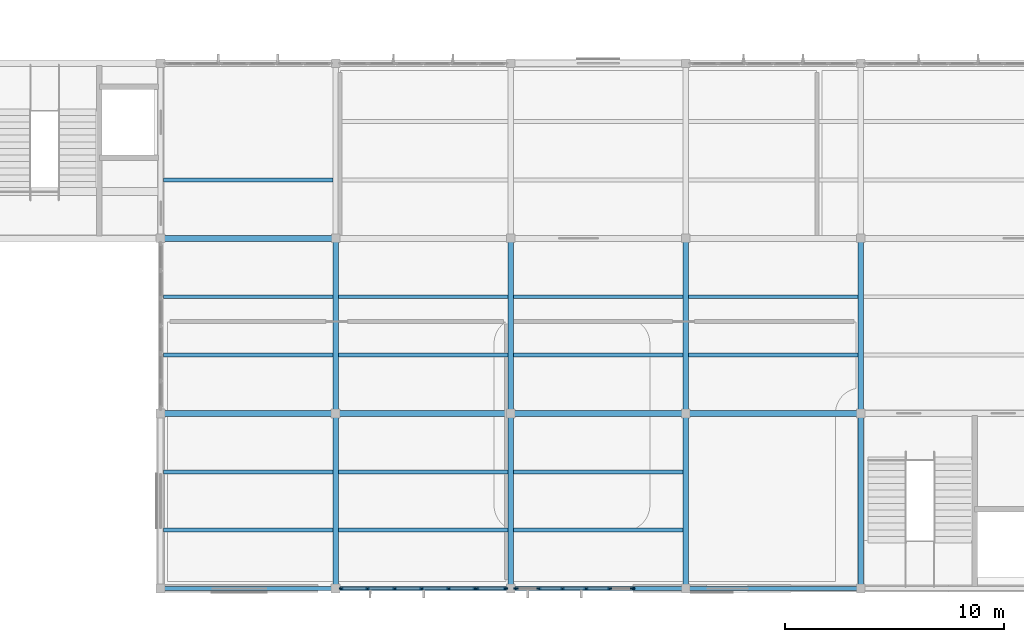
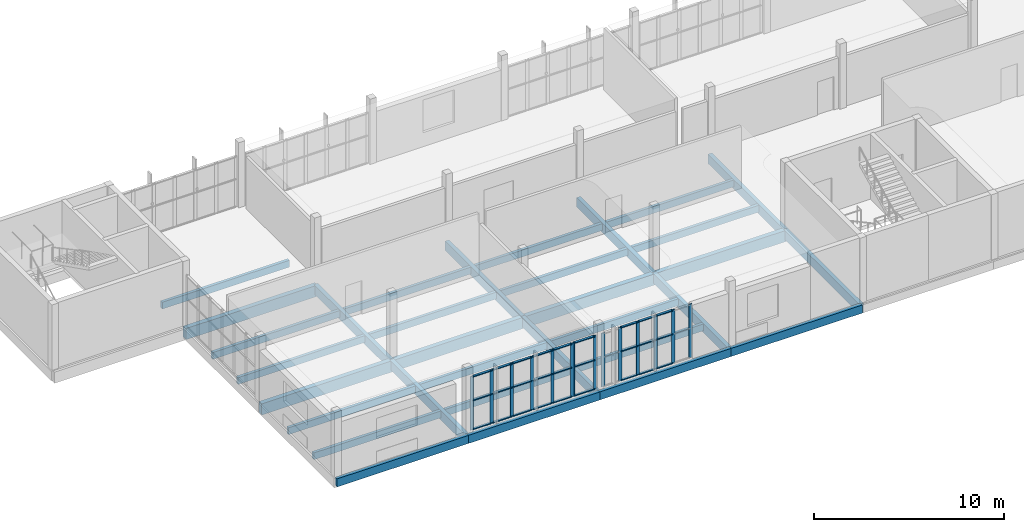
# One storey, part 11 of 45: 41 members, 32 beams, 3 elements without a shape of their own.
"""IFC4 building model written with IfcOpenShell, lengths in metres."""

from ifc_helpers import new_model, si_unit, direction, frame, origin, origin_2d, place, context, subcontext, project, spatial, rectangle, extrude, material, layer, layer_set, material_profile, profile_set, type_object, element, aggregate, save


model = new_model("IFC4")

# Units and contexts
model_context = context("Model", 3, precision=1e-05, world=origin(), true_north=direction((0.0, 1.0)))
body_context = subcontext(model_context, "Body", "Model", "MODEL_VIEW")
ifc_project = project(units=[si_unit("LENGTHUNIT", "METRE"), si_unit("AREAUNIT", "SQUARE_METRE"), si_unit("VOLUMEUNIT", "CUBIC_METRE"), si_unit("PLANEANGLEUNIT", "RADIAN"), si_unit("MASSUNIT", "GRAM", prefix="KILO")], contexts=[model_context])

# Site, building, storey
site_placement = place(None, origin())
site = spatial("IfcSite", under=ifc_project, at=site_placement, CompositionType="ELEMENT")
building_placement = place(site_placement, origin())
building = spatial("IfcBuilding", under=site, at=building_placement, Name="Solvane Community Centre", CompositionType="ELEMENT")
storey_placement = place(building_placement, frame((0.0, 0.0, 13.800048828125)))
storey = spatial("IfcBuildingStorey", under=building, at=storey_placement, Name="L03", CompositionType="ELEMENT", Elevation=13.800048828125)

# Curtain wall, members
ifc_material_1 = material(Name="Anodised bronze aluminium AW-6063 T6", Category="aluminium")
ifc_layer_1 = layer(ifc_material_1, 0.199951171875)
ifc_layer_set_1 = layer_set([ifc_layer_1], Name="Anodised bronze aluminium AW-6063 T6")
curtain_wall_type_1 = type_object("IfcCurtainWallType", Name="Courtyard Cloister Curtain Wall [54x34dm]", PredefinedType="NOTDEFINED", material=ifc_layer_set_1)
curtain_wall_1_placement = place(storey_placement, origin())
curtain_wall_1 = element("IfcCurtainWall", 1, at=curtain_wall_1_placement, inside=storey, type_object=curtain_wall_type_1, Name="Curtain Wall CW-L03-896_60-217", PredefinedType="NOTDEFINED")
ifc_material_profile_1 = material_profile(ifc_material_1, rectangle(XDim=0.06005859375, YDim=0.199951171875, at=origin_2d()), Name="CW-M 60x200")
ifc_profile_set_1 = profile_set([ifc_material_profile_1], Name="Anodised bronze aluminium AW-6063 T6")
member_type_1 = type_object("IfcMemberType", Name="Cloister Mullion 60x200", PredefinedType="MULLION", material=ifc_profile_set_1)
member_1_placement = place(storey_placement, frame((89.570068359375, 6.0, 0.0), z_axis=(0.0, 0.0, 1.0), x_axis=(0.0, -1.0, 0.0)))
member_1 = element("IfcMember", 2, at=member_1_placement, type_object=member_type_1, Name="CW03-54x34 mullion 1", PredefinedType="MULLION", context=body_context, shape_type="SweptSolid", body=[
    extrude(rectangle(XDim=0.06005859375, YDim=0.199951171875, at=origin_2d()), origin(), (0.0, 0.0, 1.0), 3.445068359375),
])
member_2_placement = place(storey_placement, frame((88.52294921875, 6.0, 0.0), z_axis=(0.0, 0.0, 1.0), x_axis=(0.0, -1.0, 0.0)))
member_2 = element("IfcMember", 3, at=member_2_placement, type_object=member_type_1, Name="CW03-54x34 mullion 2", PredefinedType="MULLION", context=body_context, shape_type="SweptSolid", body=[
    extrude(rectangle(XDim=0.06005859375, YDim=0.199951171875, at=origin_2d()), origin(), (0.0, 0.0, 1.0), 3.445068359375),
])
member_3_placement = place(storey_placement, frame((87.446044921875, 6.0, 0.0), z_axis=(0.0, 0.0, 1.0), x_axis=(0.0, -1.0, 0.0)))
member_3 = element("IfcMember", 4, at=member_3_placement, type_object=member_type_1, Name="CW03-54x34 mullion 3", PredefinedType="MULLION", context=body_context, shape_type="SweptSolid", body=[
    extrude(rectangle(XDim=0.06005859375, YDim=0.199951171875, at=origin_2d()), origin(), (0.0, 0.0, 1.0), 3.445068359375),
])
member_4_placement = place(storey_placement, frame((86.368896484375, 6.0, 0.0), z_axis=(0.0, 0.0, 1.0), x_axis=(0.0, -1.0, 0.0)))
member_4 = element("IfcMember", 5, at=member_4_placement, type_object=member_type_1, Name="CW03-54x34 mullion 4", PredefinedType="MULLION", context=body_context, shape_type="SweptSolid", body=[
    extrude(rectangle(XDim=0.06005859375, YDim=0.199951171875, at=origin_2d()), origin(), (0.0, 0.0, 1.0), 3.445068359375),
])
member_5_placement = place(storey_placement, frame((85.2919921875, 6.0, 0.0), z_axis=(0.0, 0.0, 1.0), x_axis=(0.0, -1.0, 0.0)))
member_5 = element("IfcMember", 6, at=member_5_placement, type_object=member_type_1, Name="CW03-54x34 mullion 5", PredefinedType="MULLION", context=body_context, shape_type="SweptSolid", body=[
    extrude(rectangle(XDim=0.06005859375, YDim=0.199951171875, at=origin_2d()), origin(), (0.0, 0.0, 1.0), 3.445068359375),
])
member_6_placement = place(storey_placement, frame((84.2451171875, 6.0, 0.0), z_axis=(0.0, 0.0, 1.0), x_axis=(0.0, -1.0, 0.0)))
member_6 = element("IfcMember", 7, at=member_6_placement, type_object=member_type_1, Name="CW03-54x34 mullion 6", PredefinedType="MULLION", context=body_context, shape_type="SweptSolid", body=[
    extrude(rectangle(XDim=0.06005859375, YDim=0.199951171875, at=origin_2d()), origin(), (0.0, 0.0, 1.0), 3.445068359375),
])

ifc_layer_2 = layer(ifc_material_1, 0.199951171875)
ifc_layer_set_2 = layer_set([ifc_layer_2], Name="Anodised bronze aluminium AW-6063 T6")
curtain_wall_type_2 = type_object("IfcCurtainWallType", Name="Courtyard Cloister Curtain Wall [14x34dm]", PredefinedType="NOTDEFINED", material=ifc_layer_set_2)
curtain_wall_2_placement = place(storey_placement, origin())
curtain_wall_2 = element("IfcCurtainWall", 8, at=curtain_wall_2_placement, inside=storey, type_object=curtain_wall_type_2, Name="Curtain Wall CW-L03-838_60-218", PredefinedType="NOTDEFINED")
member_7_placement = place(storey_placement, frame((83.7548828125, 6.0, 0.0), z_axis=(0.0, 0.0, 1.0), x_axis=(0.0, -1.0, 0.0)))
member_7 = element("IfcMember", 9, at=member_7_placement, type_object=member_type_1, Name="CW03-14x34 mullion 1", PredefinedType="MULLION", context=body_context, shape_type="SweptSolid", body=[
    extrude(rectangle(XDim=0.06005859375, YDim=0.199951171875, at=origin_2d()), origin(), (0.0, 0.0, 1.0), 3.445068359375),
])
member_8_placement = place(storey_placement, frame((82.429931640625, 6.0, 0.0), z_axis=(0.0, 0.0, 1.0), x_axis=(0.0, -1.0, 0.0)))
member_8 = element("IfcMember", 10, at=member_8_placement, type_object=member_type_1, Name="CW03-14x34 mullion 2", PredefinedType="MULLION", context=body_context, shape_type="SweptSolid", body=[
    extrude(rectangle(XDim=0.06005859375, YDim=0.199951171875, at=origin_2d()), origin(), (0.0, 0.0, 1.0), 3.445068359375),
])

ifc_layer_3 = layer(ifc_material_1, 0.199951171875)
ifc_layer_set_3 = layer_set([ifc_layer_3], Name="Anodised bronze aluminium AW-6063 T6")
curtain_wall_type_3 = type_object("IfcCurtainWallType", Name="Courtyard Cloister Curtain Wall [62x34dm]", PredefinedType="NOTDEFINED", material=ifc_layer_set_3)
curtain_wall_3_placement = place(storey_placement, origin())
curtain_wall_3 = element("IfcCurtainWall", 11, at=curtain_wall_3_placement, inside=storey, type_object=curtain_wall_type_3, Name="Curtain Wall CW-L03-824_60-219", PredefinedType="NOTDEFINED")
member_9_placement = place(storey_placement, frame((82.3701171875, 6.0, 0.0), z_axis=(0.0, 0.0, 1.0), x_axis=(0.0, -1.0, 0.0)))
member_9 = element("IfcMember", 12, at=member_9_placement, type_object=member_type_1, Name="CW03-62x34 mullion 1", PredefinedType="MULLION", context=body_context, shape_type="SweptSolid", body=[
    extrude(rectangle(XDim=0.06005859375, YDim=0.199951171875, at=origin_2d()), origin(), (0.0, 0.0, 1.0), 3.445068359375),
])
member_10_placement = place(storey_placement, frame((81.1650390625, 6.0, 0.0), z_axis=(0.0, 0.0, 1.0), x_axis=(0.0, -1.0, 0.0)))
member_10 = element("IfcMember", 13, at=member_10_placement, type_object=member_type_1, Name="CW03-62x34 mullion 2", PredefinedType="MULLION", context=body_context, shape_type="SweptSolid", body=[
    extrude(rectangle(XDim=0.06005859375, YDim=0.199951171875, at=origin_2d()), origin(), (0.0, 0.0, 1.0), 3.445068359375),
])
member_11_placement = place(storey_placement, frame((79.929931640625, 6.0, 0.0), z_axis=(0.0, 0.0, 1.0), x_axis=(0.0, -1.0, 0.0)))
member_11 = element("IfcMember", 14, at=member_11_placement, type_object=member_type_1, Name="CW03-62x34 mullion 3", PredefinedType="MULLION", context=body_context, shape_type="SweptSolid", body=[
    extrude(rectangle(XDim=0.06005859375, YDim=0.199951171875, at=origin_2d()), origin(), (0.0, 0.0, 1.0), 3.445068359375),
])
member_12_placement = place(storey_placement, frame((78.695068359375, 6.0, 0.0), z_axis=(0.0, 0.0, 1.0), x_axis=(0.0, -1.0, 0.0)))
member_12 = element("IfcMember", 15, at=member_12_placement, type_object=member_type_1, Name="CW03-62x34 mullion 4", PredefinedType="MULLION", context=body_context, shape_type="SweptSolid", body=[
    extrude(rectangle(XDim=0.06005859375, YDim=0.199951171875, at=origin_2d()), origin(), (0.0, 0.0, 1.0), 3.445068359375),
])
member_13_placement = place(storey_placement, frame((77.4599609375, 6.0, 0.0), z_axis=(0.0, 0.0, 1.0), x_axis=(0.0, -1.0, 0.0)))
member_13 = element("IfcMember", 16, at=member_13_placement, type_object=member_type_1, Name="CW03-62x34 mullion 5", PredefinedType="MULLION", context=body_context, shape_type="SweptSolid", body=[
    extrude(rectangle(XDim=0.06005859375, YDim=0.199951171875, at=origin_2d()), origin(), (0.0, 0.0, 1.0), 3.445068359375),
])
member_14_placement = place(storey_placement, frame((76.2548828125, 6.0, 0.0), z_axis=(0.0, 0.0, 1.0), x_axis=(0.0, -1.0, 0.0)))
member_14 = element("IfcMember", 17, at=member_14_placement, type_object=member_type_1, Name="CW03-62x34 mullion 6", PredefinedType="MULLION", context=body_context, shape_type="SweptSolid", body=[
    extrude(rectangle(XDim=0.06005859375, YDim=0.199951171875, at=origin_2d()), origin(), (0.0, 0.0, 1.0), 3.445068359375),
])

# Member
ifc_material_profile_2 = material_profile(ifc_material_1, rectangle(XDim=0.139892578125, YDim=0.06005859375, at=origin_2d()), Name="CW-T 60x140")
ifc_profile_set_2 = profile_set([ifc_material_profile_2], Name="Anodised bronze aluminium AW-6063 T6")
member_type_2 = type_object("IfcMemberType", Name="Cloister Transom 60x140", PredefinedType="USERDEFINED", material=ifc_profile_set_2)
member_15_placement = place(storey_placement, frame((88.492919921875, 6.0, 0.030029296875), z_axis=(-1.0, 0.0, 0.0), x_axis=(0.0, -1.0, 0.0)))
member_15 = element("IfcMember", 18, at=member_15_placement, type_object=member_type_2, Name="CW03-54x34 transom 2.1", ObjectType="TRANSOM", PredefinedType="USERDEFINED", context=body_context, shape_type="SweptSolid", body=[
    extrude(rectangle(XDim=0.139892578125, YDim=0.06005859375, at=origin_2d()), origin(), (0.0, 0.0, 1.0), 1.016845703125),
])

member_16_placement = place(storey_placement, frame((88.492919921875, 6.0, 1.89501953125), z_axis=(-1.0, 0.0, 0.0), x_axis=(0.0, -1.0, 0.0)))
member_16 = element("IfcMember", 19, at=member_16_placement, type_object=member_type_2, Name="CW03-54x34 transom 2.2", ObjectType="TRANSOM", PredefinedType="USERDEFINED", context=body_context, shape_type="SweptSolid", body=[
    extrude(rectangle(XDim=0.139892578125, YDim=0.06005859375, at=origin_2d()), origin(), (0.0, 0.0, 1.0), 1.016845703125),
])

member_17_placement = place(storey_placement, frame((88.492919921875, 6.0, 3.4150390625), z_axis=(-1.0, 0.0, 0.0), x_axis=(0.0, -1.0, 0.0)))
member_17 = element("IfcMember", 20, at=member_17_placement, type_object=member_type_2, Name="CW03-54x34 transom 2.3", ObjectType="TRANSOM", PredefinedType="USERDEFINED", context=body_context, shape_type="SweptSolid", body=[
    extrude(rectangle(XDim=0.139892578125, YDim=0.06005859375, at=origin_2d()), origin(), (0.0, 0.0, 1.0), 1.016845703125),
])

member_18_placement = place(storey_placement, frame((87.416015625, 6.0, 0.030029296875), z_axis=(-1.0, 0.0, 0.0), x_axis=(0.0, -1.0, 0.0)))
member_18 = element("IfcMember", 21, at=member_18_placement, type_object=member_type_2, Name="CW03-54x34 transom 3.1", ObjectType="TRANSOM", PredefinedType="USERDEFINED", context=body_context, shape_type="SweptSolid", body=[
    extrude(rectangle(XDim=0.139892578125, YDim=0.06005859375, at=origin_2d()), origin(), (0.0, 0.0, 1.0), 1.01708984375),
])

member_19_placement = place(storey_placement, frame((87.416015625, 6.0, 1.89501953125), z_axis=(-1.0, 0.0, 0.0), x_axis=(0.0, -1.0, 0.0)))
member_19 = element("IfcMember", 22, at=member_19_placement, type_object=member_type_2, Name="CW03-54x34 transom 3.2", ObjectType="TRANSOM", PredefinedType="USERDEFINED", context=body_context, shape_type="SweptSolid", body=[
    extrude(rectangle(XDim=0.139892578125, YDim=0.06005859375, at=origin_2d()), origin(), (0.0, 0.0, 1.0), 1.01708984375),
])

member_20_placement = place(storey_placement, frame((87.416015625, 6.0, 3.4150390625), z_axis=(-1.0, 0.0, 0.0), x_axis=(0.0, -1.0, 0.0)))
member_20 = element("IfcMember", 23, at=member_20_placement, type_object=member_type_2, Name="CW03-54x34 transom 3.3", ObjectType="TRANSOM", PredefinedType="USERDEFINED", context=body_context, shape_type="SweptSolid", body=[
    extrude(rectangle(XDim=0.139892578125, YDim=0.06005859375, at=origin_2d()), origin(), (0.0, 0.0, 1.0), 1.01708984375),
])

member_21_placement = place(storey_placement, frame((86.339111328125, 6.0, 0.030029296875), z_axis=(-1.0, 0.0, 0.0), x_axis=(0.0, -1.0, 0.0)))
member_21 = element("IfcMember", 24, at=member_21_placement, type_object=member_type_2, Name="CW03-54x34 transom 4.1", ObjectType="TRANSOM", PredefinedType="USERDEFINED", context=body_context, shape_type="SweptSolid", body=[
    extrude(rectangle(XDim=0.139892578125, YDim=0.06005859375, at=origin_2d()), origin(), (0.0, 0.0, 1.0), 1.01708984375),
])

member_22_placement = place(storey_placement, frame((86.339111328125, 6.0, 1.89501953125), z_axis=(-1.0, 0.0, 0.0), x_axis=(0.0, -1.0, 0.0)))
member_22 = element("IfcMember", 25, at=member_22_placement, type_object=member_type_2, Name="CW03-54x34 transom 4.2", ObjectType="TRANSOM", PredefinedType="USERDEFINED", context=body_context, shape_type="SweptSolid", body=[
    extrude(rectangle(XDim=0.139892578125, YDim=0.06005859375, at=origin_2d()), origin(), (0.0, 0.0, 1.0), 1.01708984375),
])

member_23_placement = place(storey_placement, frame((86.339111328125, 6.0, 3.4150390625), z_axis=(-1.0, 0.0, 0.0), x_axis=(0.0, -1.0, 0.0)))
member_23 = element("IfcMember", 26, at=member_23_placement, type_object=member_type_2, Name="CW03-54x34 transom 4.3", ObjectType="TRANSOM", PredefinedType="USERDEFINED", context=body_context, shape_type="SweptSolid", body=[
    extrude(rectangle(XDim=0.139892578125, YDim=0.06005859375, at=origin_2d()), origin(), (0.0, 0.0, 1.0), 1.01708984375),
])

aggregate(curtain_wall_1, [member_1, member_2, member_3, member_4, member_5, member_6, member_15, member_16, member_17, member_18, member_19, member_20, member_21, member_22, member_23])

member_24_placement = place(storey_placement, frame((83.72509765625, 6.0, 0.030029296875), z_axis=(-1.0, 0.0, 0.0), x_axis=(0.0, -1.0, 0.0)))
member_24 = element("IfcMember", 27, at=member_24_placement, type_object=member_type_2, Name="CW03-14x34 transom 1.1", ObjectType="TRANSOM", PredefinedType="USERDEFINED", context=body_context, shape_type="SweptSolid", body=[
    extrude(rectangle(XDim=0.139892578125, YDim=0.06005859375, at=origin_2d()), origin(), (0.0, 0.0, 1.0), 1.26513671875),
])

member_25_placement = place(storey_placement, frame((83.72509765625, 6.0, 1.89501953125), z_axis=(-1.0, 0.0, 0.0), x_axis=(0.0, -1.0, 0.0)))
member_25 = element("IfcMember", 28, at=member_25_placement, type_object=member_type_2, Name="CW03-14x34 transom 1.2", ObjectType="TRANSOM", PredefinedType="USERDEFINED", context=body_context, shape_type="SweptSolid", body=[
    extrude(rectangle(XDim=0.139892578125, YDim=0.06005859375, at=origin_2d()), origin(), (0.0, 0.0, 1.0), 1.26513671875),
])

member_26_placement = place(storey_placement, frame((83.72509765625, 6.0, 3.4150390625), z_axis=(-1.0, 0.0, 0.0), x_axis=(0.0, -1.0, 0.0)))
member_26 = element("IfcMember", 29, at=member_26_placement, type_object=member_type_2, Name="CW03-14x34 transom 1.3", ObjectType="TRANSOM", PredefinedType="USERDEFINED", context=body_context, shape_type="SweptSolid", body=[
    extrude(rectangle(XDim=0.139892578125, YDim=0.06005859375, at=origin_2d()), origin(), (0.0, 0.0, 1.0), 1.26513671875),
])

aggregate(curtain_wall_2, [member_7, member_8, member_24, member_25, member_26])

member_27_placement = place(storey_placement, frame((82.340087890625, 6.0, 0.030029296875), z_axis=(-1.0, 0.0, 0.0), x_axis=(0.0, -1.0, 0.0)))
member_27 = element("IfcMember", 30, at=member_27_placement, type_object=member_type_2, Name="CW03-62x34 transom 1.1", ObjectType="TRANSOM", PredefinedType="USERDEFINED", context=body_context, shape_type="SweptSolid", body=[
    extrude(rectangle(XDim=0.139892578125, YDim=0.06005859375, at=origin_2d()), origin(), (0.0, 0.0, 1.0), 1.14501953125),
])

member_28_placement = place(storey_placement, frame((82.340087890625, 6.0, 1.89501953125), z_axis=(-1.0, 0.0, 0.0), x_axis=(0.0, -1.0, 0.0)))
member_28 = element("IfcMember", 31, at=member_28_placement, type_object=member_type_2, Name="CW03-62x34 transom 1.2", ObjectType="TRANSOM", PredefinedType="USERDEFINED", context=body_context, shape_type="SweptSolid", body=[
    extrude(rectangle(XDim=0.139892578125, YDim=0.06005859375, at=origin_2d()), origin(), (0.0, 0.0, 1.0), 1.14501953125),
])

member_29_placement = place(storey_placement, frame((82.340087890625, 6.0, 3.4150390625), z_axis=(-1.0, 0.0, 0.0), x_axis=(0.0, -1.0, 0.0)))
member_29 = element("IfcMember", 32, at=member_29_placement, type_object=member_type_2, Name="CW03-62x34 transom 1.3", ObjectType="TRANSOM", PredefinedType="USERDEFINED", context=body_context, shape_type="SweptSolid", body=[
    extrude(rectangle(XDim=0.139892578125, YDim=0.06005859375, at=origin_2d()), origin(), (0.0, 0.0, 1.0), 1.14501953125),
])

member_30_placement = place(storey_placement, frame((81.135009765625, 6.0, 0.030029296875), z_axis=(-1.0, 0.0, 0.0), x_axis=(0.0, -1.0, 0.0)))
member_30 = element("IfcMember", 33, at=member_30_placement, type_object=member_type_2, Name="CW03-62x34 transom 2.1", ObjectType="TRANSOM", PredefinedType="USERDEFINED", context=body_context, shape_type="SweptSolid", body=[
    extrude(rectangle(XDim=0.139892578125, YDim=0.06005859375, at=origin_2d()), origin(), (0.0, 0.0, 1.0), 1.175048828125),
])

member_31_placement = place(storey_placement, frame((81.135009765625, 6.0, 1.89501953125), z_axis=(-1.0, 0.0, 0.0), x_axis=(0.0, -1.0, 0.0)))
member_31 = element("IfcMember", 34, at=member_31_placement, type_object=member_type_2, Name="CW03-62x34 transom 2.2", ObjectType="TRANSOM", PredefinedType="USERDEFINED", context=body_context, shape_type="SweptSolid", body=[
    extrude(rectangle(XDim=0.139892578125, YDim=0.06005859375, at=origin_2d()), origin(), (0.0, 0.0, 1.0), 1.175048828125),
])

member_32_placement = place(storey_placement, frame((81.135009765625, 6.0, 3.4150390625), z_axis=(-1.0, 0.0, 0.0), x_axis=(0.0, -1.0, 0.0)))
member_32 = element("IfcMember", 35, at=member_32_placement, type_object=member_type_2, Name="CW03-62x34 transom 2.3", ObjectType="TRANSOM", PredefinedType="USERDEFINED", context=body_context, shape_type="SweptSolid", body=[
    extrude(rectangle(XDim=0.139892578125, YDim=0.06005859375, at=origin_2d()), origin(), (0.0, 0.0, 1.0), 1.175048828125),
])

member_33_placement = place(storey_placement, frame((79.89990234375, 6.0, 0.030029296875), z_axis=(-1.0, 0.0, 0.0), x_axis=(0.0, -1.0, 0.0)))
member_33 = element("IfcMember", 36, at=member_33_placement, type_object=member_type_2, Name="CW03-62x34 transom 3.1", ObjectType="TRANSOM", PredefinedType="USERDEFINED", context=body_context, shape_type="SweptSolid", body=[
    extrude(rectangle(XDim=0.139892578125, YDim=0.06005859375, at=origin_2d()), origin(), (0.0, 0.0, 1.0), 1.1748046875),
])

member_34_placement = place(storey_placement, frame((79.89990234375, 6.0, 1.89501953125), z_axis=(-1.0, 0.0, 0.0), x_axis=(0.0, -1.0, 0.0)))
member_34 = element("IfcMember", 37, at=member_34_placement, type_object=member_type_2, Name="CW03-62x34 transom 3.2", ObjectType="TRANSOM", PredefinedType="USERDEFINED", context=body_context, shape_type="SweptSolid", body=[
    extrude(rectangle(XDim=0.139892578125, YDim=0.06005859375, at=origin_2d()), origin(), (0.0, 0.0, 1.0), 1.1748046875),
])

member_35_placement = place(storey_placement, frame((79.89990234375, 6.0, 3.4150390625), z_axis=(-1.0, 0.0, 0.0), x_axis=(0.0, -1.0, 0.0)))
member_35 = element("IfcMember", 38, at=member_35_placement, type_object=member_type_2, Name="CW03-62x34 transom 3.3", ObjectType="TRANSOM", PredefinedType="USERDEFINED", context=body_context, shape_type="SweptSolid", body=[
    extrude(rectangle(XDim=0.139892578125, YDim=0.06005859375, at=origin_2d()), origin(), (0.0, 0.0, 1.0), 1.1748046875),
])

member_36_placement = place(storey_placement, frame((78.6650390625, 6.0, 0.030029296875), z_axis=(-1.0, 0.0, 0.0), x_axis=(0.0, -1.0, 0.0)))
member_36 = element("IfcMember", 39, at=member_36_placement, type_object=member_type_2, Name="CW03-62x34 transom 4.1", ObjectType="TRANSOM", PredefinedType="USERDEFINED", context=body_context, shape_type="SweptSolid", body=[
    extrude(rectangle(XDim=0.139892578125, YDim=0.06005859375, at=origin_2d()), origin(), (0.0, 0.0, 1.0), 1.175048828125),
])

member_37_placement = place(storey_placement, frame((78.6650390625, 6.0, 1.89501953125), z_axis=(-1.0, 0.0, 0.0), x_axis=(0.0, -1.0, 0.0)))
member_37 = element("IfcMember", 40, at=member_37_placement, type_object=member_type_2, Name="CW03-62x34 transom 4.2", ObjectType="TRANSOM", PredefinedType="USERDEFINED", context=body_context, shape_type="SweptSolid", body=[
    extrude(rectangle(XDim=0.139892578125, YDim=0.06005859375, at=origin_2d()), origin(), (0.0, 0.0, 1.0), 1.175048828125),
])

member_38_placement = place(storey_placement, frame((78.6650390625, 6.0, 3.4150390625), z_axis=(-1.0, 0.0, 0.0), x_axis=(0.0, -1.0, 0.0)))
member_38 = element("IfcMember", 41, at=member_38_placement, type_object=member_type_2, Name="CW03-62x34 transom 4.3", ObjectType="TRANSOM", PredefinedType="USERDEFINED", context=body_context, shape_type="SweptSolid", body=[
    extrude(rectangle(XDim=0.139892578125, YDim=0.06005859375, at=origin_2d()), origin(), (0.0, 0.0, 1.0), 1.175048828125),
])

member_39_placement = place(storey_placement, frame((77.429931640625, 6.0, 0.030029296875), z_axis=(-1.0, 0.0, 0.0), x_axis=(0.0, -1.0, 0.0)))
member_39 = element("IfcMember", 42, at=member_39_placement, type_object=member_type_2, Name="CW03-62x34 transom 5.1", ObjectType="TRANSOM", PredefinedType="USERDEFINED", context=body_context, shape_type="SweptSolid", body=[
    extrude(rectangle(XDim=0.139892578125, YDim=0.06005859375, at=origin_2d()), origin(), (0.0, 0.0, 1.0), 1.14501953125),
])

member_40_placement = place(storey_placement, frame((77.429931640625, 6.0, 1.89501953125), z_axis=(-1.0, 0.0, 0.0), x_axis=(0.0, -1.0, 0.0)))
member_40 = element("IfcMember", 43, at=member_40_placement, type_object=member_type_2, Name="CW03-62x34 transom 5.2", ObjectType="TRANSOM", PredefinedType="USERDEFINED", context=body_context, shape_type="SweptSolid", body=[
    extrude(rectangle(XDim=0.139892578125, YDim=0.06005859375, at=origin_2d()), origin(), (0.0, 0.0, 1.0), 1.14501953125),
])

member_41_placement = place(storey_placement, frame((77.429931640625, 6.0, 3.4150390625), z_axis=(-1.0, 0.0, 0.0), x_axis=(0.0, -1.0, 0.0)))
member_41 = element("IfcMember", 44, at=member_41_placement, type_object=member_type_2, Name="CW03-62x34 transom 5.3", ObjectType="TRANSOM", PredefinedType="USERDEFINED", context=body_context, shape_type="SweptSolid", body=[
    extrude(rectangle(XDim=0.139892578125, YDim=0.06005859375, at=origin_2d()), origin(), (0.0, 0.0, 1.0), 1.14501953125),
])

aggregate(curtain_wall_3, [member_9, member_10, member_11, member_12, member_13, member_14, member_27, member_28, member_29, member_30, member_31, member_32, member_33, member_34, member_35, member_36, member_37, member_38, member_39, member_40, member_41])

# Beams
ifc_material_2 = material(Name="Glulam GL28h", Category="wood")
ifc_material_profile_3 = material_profile(ifc_material_2, rectangle(XDim=0.239990234375, YDim=0.60009765625, at=origin_2d()), Name="GL28h 240x600")
ifc_profile_set_3 = profile_set([ifc_material_profile_3], Name="Glulam GL28h")
beam_type_1 = type_object("IfcBeamType", Name="Glulam Floor Beam 240x600", PredefinedType="BEAM", material=ifc_profile_set_3)
for number, where, z_axis, x_axis, name in (
    (45, (76.0, 6.0, -0.52001953125), (0.0, 1.0, 0.0), (-1.0, 0.0, 0.0), "Beam BM-L03-760_60-760_140"),
    (46, (76.0, 14.0, -0.52001953125), (0.0, 1.0, 0.0), (-1.0, 0.0, 0.0), "Beam BM-L03-760_140-760_220"),
    (47, (84.0, 6.0, -0.52001953125), (0.0, 1.0, 0.0), (-1.0, 0.0, 0.0), "Beam BM-L03-840_60-840_140"),
    (48, (84.0, 14.0, -0.52001953125), (0.0, 1.0, 0.0), (-1.0, 0.0, 0.0), "Beam BM-L03-840_140-840_220"),
    (49, (92.0, 6.0, -0.52001953125), (0.0, 1.0, 0.0), (-1.0, 0.0, 0.0), "Beam BM-L03-920_60-920_140"),
    (50, (92.0, 14.0, -0.52001953125), (0.0, 1.0, 0.0), (-1.0, 0.0, 0.0), "Beam BM-L03-920_140-920_220"),
    (51, (100.0, 6.0, -0.52001953125), (0.0, 1.0, 0.0), (-1.0, 0.0, 0.0), "Beam BM-L03-1000_60-1000_140"),
    (52, (100.0, 14.0, -0.52001953125), (0.0, 1.0, 0.0), (-1.0, 0.0, 0.0), "Beam BM-L03-1000_140-1000_220"),
):
    element("IfcBeam", number, at=place(storey_placement, frame(where, z_axis=z_axis, x_axis=x_axis)), inside=storey, type_object=beam_type_1, Name=name, PredefinedType="BEAM", context=body_context, shape_type="SweptSolid", body=[
        extrude(rectangle(XDim=0.239990234375, YDim=0.60009765625, at=origin_2d()), origin(), (0.0, 0.0, 1.0), 8.0),
    ])
ifc_material_profile_4 = material_profile(ifc_material_2, rectangle(XDim=0.179931640625, YDim=0.43994140625, at=origin_2d()), Name="GL28h 180x440")
ifc_profile_set_4 = profile_set([ifc_material_profile_4], Name="Glulam GL28h")
beam_type_2 = type_object("IfcBeamType", Name="Glulam Floor Joist 180x440", PredefinedType="JOIST", material=ifc_profile_set_4)
for number, where, z_axis, x_axis, name in (
    (53, (68.1298828125, 8.666748046875, -0.43994140625), (1.0, 0.0, 0.0), (0.0, 1.0, 0.0), "Beam BM-L03-681_87-759_87"),
    (54, (68.1298828125, 11.333251953125, -0.43994140625), (1.0, 0.0, 0.0), (0.0, 1.0, 0.0), "Beam BM-L03-681_113-759_113"),
    (55, (68.1298828125, 16.666748046875, -0.43994140625), (1.0, 0.0, 0.0), (0.0, 1.0, 0.0), "Beam BM-L03-681_167-759_167"),
    (56, (68.1298828125, 19.333251953125, -0.43994140625), (1.0, 0.0, 0.0), (0.0, 1.0, 0.0), "Beam BM-L03-681_193-759_193"),
    (57, (68.1298828125, 24.666748046875, -0.43994140625), (1.0, 0.0, 0.0), (0.0, 1.0, 0.0), "Beam BM-L03-681_247-759_247"),
    (58, (76.1298828125, 8.666748046875, -0.43994140625), (1.0, 0.0, 0.0), (0.0, 1.0, 0.0), "Beam BM-L03-761_87-839_87"),
    (59, (76.1298828125, 11.333251953125, -0.43994140625), (1.0, 0.0, 0.0), (0.0, 1.0, 0.0), "Beam BM-L03-761_113-839_113"),
    (60, (76.1298828125, 16.666748046875, -0.43994140625), (1.0, 0.0, 0.0), (0.0, 1.0, 0.0), "Beam BM-L03-761_167-839_167"),
    (61, (76.1298828125, 19.333251953125, -0.43994140625), (1.0, 0.0, 0.0), (0.0, 1.0, 0.0), "Beam BM-L03-761_193-839_193"),
    (62, (84.1298828125, 8.666748046875, -0.43994140625), (1.0, 0.0, 0.0), (0.0, 1.0, 0.0), "Beam BM-L03-841_87-919_87"),
    (63, (84.1298828125, 11.333251953125, -0.43994140625), (1.0, 0.0, 0.0), (0.0, 1.0, 0.0), "Beam BM-L03-841_113-919_113"),
    (64, (84.1298828125, 16.666748046875, -0.43994140625), (1.0, 0.0, 0.0), (0.0, 1.0, 0.0), "Beam BM-L03-841_167-919_167"),
    (65, (84.1298828125, 19.333251953125, -0.43994140625), (1.0, 0.0, 0.0), (0.0, 1.0, 0.0), "Beam BM-L03-841_193-919_193"),
    (66, (92.1298828125, 16.666748046875, -0.43994140625), (1.0, 0.0, 0.0), (0.0, 1.0, 0.0), "Beam BM-L03-921_167-999_167"),
    (67, (92.1298828125, 19.333251953125, -0.43994140625), (1.0, 0.0, 0.0), (0.0, 1.0, 0.0), "Beam BM-L03-921_193-999_193"),
):
    element("IfcBeam", number, at=place(storey_placement, frame(where, z_axis=z_axis, x_axis=x_axis)), inside=storey, type_object=beam_type_2, Name=name, PredefinedType="JOIST", context=body_context, shape_type="SweptSolid", body=[
        extrude(rectangle(XDim=0.179931640625, YDim=0.43994140625, at=origin_2d()), origin(), (0.0, 0.0, 1.0), 7.740234375),
    ])
ifc_material_profile_5 = material_profile(ifc_material_2, rectangle(XDim=0.280029296875, YDim=0.719970703125, at=origin_2d()), Name="GL28h 280x720")
ifc_profile_set_5 = profile_set([ifc_material_profile_5], Name="Glulam GL28h")
beam_type_3 = type_object("IfcBeamType", Name="Glulam Long-Span Girder 280x720", PredefinedType="USERDEFINED", material=ifc_profile_set_5)
for number, where, z_axis, x_axis, name in (
    (68, (68.0, 14.0, -0.580078125), (1.0, 0.0, 0.0), (0.0, 1.0, 0.0), "Beam BM-L03-680_140-760_140"),
    (69, (76.0, 14.0, -0.580078125), (1.0, 0.0, 0.0), (0.0, 1.0, 0.0), "Beam BM-L03-760_140-840_140"),
    (70, (84.0, 14.0, -0.580078125), (1.0, 0.0, 0.0), (0.0, 1.0, 0.0), "Beam BM-L03-840_140-920_140"),
    (71, (92.0, 14.0, -0.580078125), (1.0, 0.0, 0.0), (0.0, 1.0, 0.0), "Beam BM-L03-920_140-1000_140"),
    (72, (68.0, 22.0, -0.580078125), (1.0, 0.0, 0.0), (0.0, 1.0, 0.0), "Beam BM-L03-680_220-760_220"),
):
    element("IfcBeam", number, at=place(storey_placement, frame(where, z_axis=z_axis, x_axis=x_axis)), inside=storey, type_object=beam_type_3, Name=name, ObjectType="GIRDER", PredefinedType="USERDEFINED", context=body_context, shape_type="SweptSolid", body=[
        extrude(rectangle(XDim=0.280029296875, YDim=0.719970703125, at=origin_2d()), origin(), (0.0, 0.0, 1.0), 8.0),
    ])
ifc_material_profile_6 = material_profile(ifc_material_2, rectangle(XDim=0.199951171875, YDim=0.52001953125, at=origin_2d()), Name="GL28h 200x520")
ifc_profile_set_6 = profile_set([ifc_material_profile_6], Name="Glulam GL28h")
beam_type_4 = type_object("IfcBeamType", Name="Glulam Spandrel Beam 200x520", PredefinedType="SPANDREL", material=ifc_profile_set_6)
for number, where, z_axis, x_axis, name in (
    (73, (68.0, 6.0, -0.47998046875), (1.0, 0.0, 0.0), (0.0, 1.0, 0.0), "Beam BM-L03-680_60-760_60"),
    (74, (76.0, 6.0, -0.47998046875), (1.0, 0.0, 0.0), (0.0, 1.0, 0.0), "Beam BM-L03-760_60-840_60"),
    (75, (84.0, 6.0, -0.47998046875), (1.0, 0.0, 0.0), (0.0, 1.0, 0.0), "Beam BM-L03-840_60-920_60"),
    (76, (92.0, 6.0, -0.47998046875), (1.0, 0.0, 0.0), (0.0, 1.0, 0.0), "Beam BM-L03-920_60-1000_60"),
):
    element("IfcBeam", number, at=place(storey_placement, frame(where, z_axis=z_axis, x_axis=x_axis)), inside=storey, type_object=beam_type_4, Name=name, PredefinedType="SPANDREL", context=body_context, shape_type="SweptSolid", body=[
        extrude(rectangle(XDim=0.199951171875, YDim=0.52001953125, at=origin_2d()), origin(), (0.0, 0.0, 1.0), 8.0),
    ])

save(model, "model.ifc")
